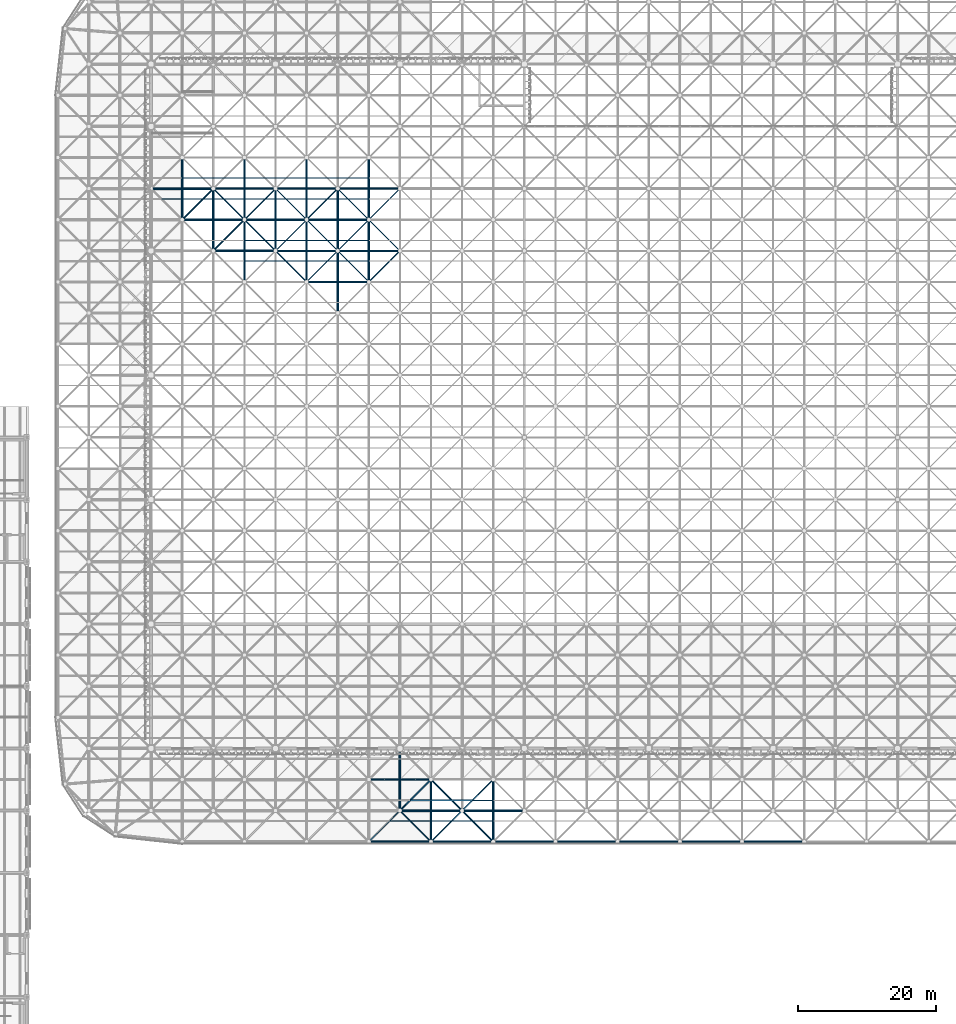
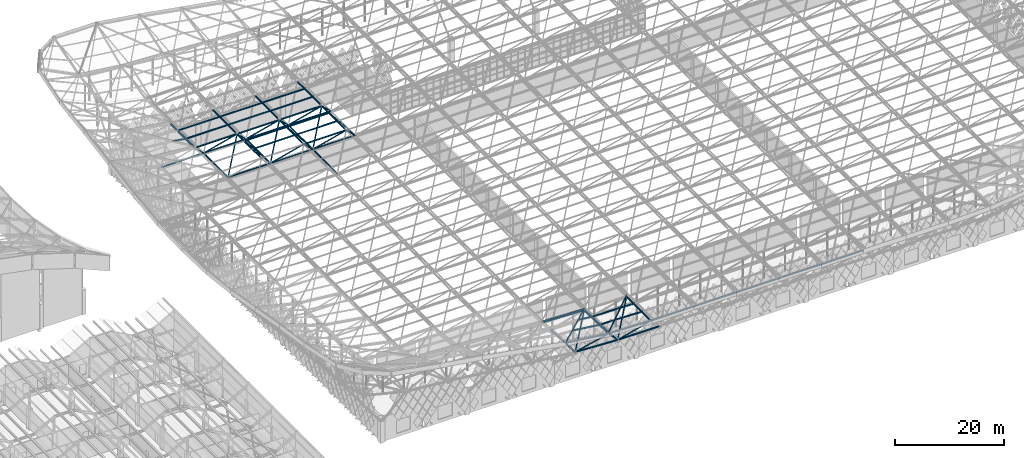
# One storey, part 83 of 437: 80 members.
"""IFC4 building model written with IfcOpenShell, lengths in metres."""

from ifc_helpers import new_model, si_unit, direction, frame, origin, origin_2d, place, context, subcontext, project, spatial, polyline, hollow_circle, outline, extrude, material, material_profile, profile_set, type_object, element, save


model = new_model("IFC4")

# Units and contexts
model_context = context("Model", 3, precision=1e-05, world=origin(), true_north=direction((0.0, 1.0)))
body_context = subcontext(model_context, "Body", "Model", "MODEL_VIEW")
ifc_project = project(units=[si_unit("LENGTHUNIT", "METRE"), si_unit("AREAUNIT", "SQUARE_METRE"), si_unit("VOLUMEUNIT", "CUBIC_METRE"), si_unit("PLANEANGLEUNIT", "RADIAN"), si_unit("MASSUNIT", "GRAM", prefix="KILO")], contexts=[model_context])

# Site, building, storey
site_placement = place(None, origin())
site = spatial("IfcSite", under=ifc_project, at=site_placement, CompositionType="ELEMENT")
building_placement = place(site_placement, origin())
building = spatial("IfcBuilding", under=site, at=building_placement, Name="Opaline Strait Convention Centre", CompositionType="ELEMENT")
storey_placement = place(building_placement, frame((0.0, 0.0, 11.5)))
storey = spatial("IfcBuildingStorey", under=building, at=storey_placement, Name="L02", CompositionType="ELEMENT", Elevation=11.5)

# Members
ifc_material = material(Name="Steel Q355B", Category="steel")
ifc_material_profile_1 = material_profile(ifc_material, outline(polyline([(-0.03759765625, -0.125), (0.03759765625, -0.125), (0.03759765625, -0.10498046875), (0.034912109375, -0.10498046875), (0.034912109375, -0.12255859375), (-0.034912109375, -0.12255859375), (-0.034912109375, 0.12255859375), (0.034912109375, 0.12255859375), (0.034912109375, 0.10498046875), (0.03759765625, 0.10498046875), (0.03759765625, 0.125), (-0.03759765625, 0.125), (-0.03759765625, -0.125)])), Name="C 250x75x20x2.5")
ifc_profile_set_1 = profile_set([ifc_material_profile_1], Name="Steel Q355B")
member_type_1 = type_object("IfcMemberType", Name="Roof purlin C 250x75x20x2.5", PredefinedType="PURLIN", material=ifc_profile_set_1)
member_1_placement = place(storey_placement, frame((130.5, 40.5, 19.59423828125), z_axis=(0.703588662414, 0.703588662414, -0.099629253955), x_axis=(-0.709635656361, 0.703016428471, -0.046745443856)))
element("IfcMember", 1, at=member_1_placement, inside=storey, type_object=member_type_1, Name="EXB-RF-F-5-0", PredefinedType="PURLIN", context=body_context, shape_type="SweptSolid", body=[
    extrude(outline(polyline([(-0.03759765625, -0.125), (0.03759765625, -0.125), (0.03759765625, -0.10498046875), (0.034912109375, -0.10498046875), (0.034912109375, -0.12255859375), (-0.034912109375, -0.12255859375), (-0.034912109375, 0.12255859375), (0.034912109375, 0.12255859375), (0.034912109375, 0.10498046875), (0.03759765625, 0.10498046875), (0.03759765625, 0.125), (-0.03759765625, 0.125), (-0.03759765625, -0.125)])), origin(), (0.0, 0.0, 1.0), 12.79150390625),
])
member_2_placement = place(storey_placement, frame((139.445556640625, 49.550048828125, 18.328857421875), z_axis=(0.0, -0.999783359176, 0.020814291107), x_axis=(0.992786458004, -0.002495550072, -0.119870017244)))
element("IfcMember", 2, at=member_2_placement, inside=storey, type_object=member_type_1, Name="EXB-RF-E-5-0a", PredefinedType="PURLIN", context=body_context, shape_type="SweptSolid", body=[
    extrude(outline(polyline([(-0.03759765625, -0.125), (0.03759765625, -0.125), (0.03759765625, -0.10498046875), (0.034912109375, -0.10498046875), (0.034912109375, -0.12255859375), (-0.034912109375, -0.12255859375), (-0.034912109375, 0.12255859375), (0.034912109375, 0.12255859375), (0.034912109375, 0.10498046875), (0.03759765625, 0.10498046875), (0.03759765625, 0.125), (-0.03759765625, 0.125), (-0.03759765625, -0.125)])), origin(), (0.0, 0.0, 1.0), 9.10205078125),
])
member_3_placement = place(storey_placement, frame((133.550048828125, 43.5, 19.1669921875), z_axis=(0.992782800113, 0.0, -0.119926276516), x_axis=(-0.002494386688, 0.999783670452, -0.020649221107)))
element("IfcMember", 3, at=member_3_placement, inside=storey, type_object=member_type_1, Name="EXB-RF-P-5-0-0a", PredefinedType="PURLIN", context=body_context, shape_type="SweptSolid", body=[
    extrude(outline(polyline([(-0.03759765625, -0.125), (0.03759765625, -0.125), (0.03759765625, -0.10498046875), (0.034912109375, -0.10498046875), (0.034912109375, -0.12255859375), (-0.034912109375, -0.12255859375), (-0.034912109375, 0.12255859375), (0.034912109375, 0.12255859375), (0.034912109375, 0.10498046875), (0.03759765625, 0.10498046875), (0.03759765625, 0.125), (-0.03759765625, 0.125), (-0.03759765625, -0.125)])), origin(), (0.0, 0.0, 1.0), 5.90380859375),
])
member_4_placement = place(storey_placement, frame((136.550048828125, 46.5, 18.7421875), z_axis=(0.992779097377, 0.0, -0.119956924813), x_axis=(-0.002495024152, 0.999783670452, -0.020649144093)))
element("IfcMember", 4, at=member_4_placement, inside=storey, type_object=member_type_1, Name="EXB-RF-P-5-0-1a", PredefinedType="PURLIN", context=body_context, shape_type="SweptSolid", body=[
    extrude(outline(polyline([(-0.03759765625, -0.125), (0.03759765625, -0.125), (0.03759765625, -0.10498046875), (0.034912109375, -0.10498046875), (0.034912109375, -0.12255859375), (-0.034912109375, -0.12255859375), (-0.034912109375, 0.12255859375), (0.034912109375, 0.12255859375), (0.034912109375, 0.10498046875), (0.03759765625, 0.10498046875), (0.03759765625, 0.125), (-0.03759765625, 0.125), (-0.03759765625, -0.125)])), origin(), (0.0, 0.0, 1.0), 2.8818359375),
])
member_5_placement = place(storey_placement, frame((139.550048828125, 49.447509765625, 18.326416015625), z_axis=(-0.999302401392, 0.0, 0.037345824037), x_axis=(0.003868565413, -0.994620331005, 0.103515367712)))
element("IfcMember", 5, at=member_5_placement, inside=storey, type_object=member_type_1, Name="EXB-RF-E-5-0b", PredefinedType="PURLIN", context=body_context, shape_type="SweptSolid", body=[
    extrude(outline(polyline([(-0.03759765625, -0.125), (0.03759765625, -0.125), (0.03759765625, -0.10498046875), (0.034912109375, -0.10498046875), (0.034912109375, -0.12255859375), (-0.034912109375, -0.12255859375), (-0.034912109375, 0.12255859375), (0.034912109375, 0.12255859375), (0.034912109375, 0.10498046875), (0.03759765625, 0.10498046875), (0.03759765625, 0.125), (-0.03759765625, 0.125), (-0.03759765625, -0.125)])), origin(), (0.0, 0.0, 1.0), 9.1064453125),
])
member_6_placement = place(storey_placement, frame((139.5, 40.5, 18.5087890625), z_axis=(0.706967474347, 0.706967474347, -0.01984894032), x_axis=(-0.707208676567, 0.706940201705, -0.009562374229)))
element("IfcMember", 6, at=member_6_placement, inside=storey, type_object=member_type_1, Name="EXB-RF-F-6-0", PredefinedType="PURLIN", context=body_context, shape_type="SweptSolid", body=[
    extrude(outline(polyline([(-0.03759765625, -0.125), (0.03759765625, -0.125), (0.03759765625, -0.10498046875), (0.034912109375, -0.10498046875), (0.034912109375, -0.12255859375), (-0.034912109375, -0.12255859375), (-0.034912109375, 0.12255859375), (0.034912109375, 0.12255859375), (0.034912109375, 0.10498046875), (0.03759765625, 0.10498046875), (0.03759765625, 0.125), (-0.03759765625, 0.125), (-0.03759765625, -0.125)])), origin(), (0.0, 0.0, 1.0), 12.73046875),
])
member_7_placement = place(storey_placement, frame((142.550048828125, 43.5, 18.424072265625), z_axis=(0.999606378304, 0.0, -0.028055096744), x_axis=(0.0, 1.0, 0.0)))
element("IfcMember", 7, at=member_7_placement, inside=storey, type_object=member_type_1, Name="EXB-RF-P-6-0-0a", PredefinedType="PURLIN", context=body_context, shape_type="SweptSolid", body=[
    extrude(outline(polyline([(-0.03759765625, -0.125), (0.03759765625, -0.125), (0.03759765625, -0.10498046875), (0.034912109375, -0.10498046875), (0.034912109375, -0.12255859375), (-0.034912109375, -0.12255859375), (-0.034912109375, 0.12255859375), (0.034912109375, 0.12255859375), (0.034912109375, 0.10498046875), (0.03759765625, 0.10498046875), (0.03759765625, 0.125), (-0.03759765625, 0.125), (-0.03759765625, -0.125)])), origin(), (0.0, 0.0, 1.0), 5.952392578125),
])
member_8_placement = place(storey_placement, frame((145.550048828125, 46.5, 18.33984375), z_axis=(0.999606664128, 0.0, -0.028044910961), x_axis=(0.0, 1.0, 0.0)))
element("IfcMember", 8, at=member_8_placement, inside=storey, type_object=member_type_1, Name="EXB-RF-P-6-0-1a", PredefinedType="PURLIN", context=body_context, shape_type="SweptSolid", body=[
    extrude(outline(polyline([(-0.03759765625, -0.125), (0.03759765625, -0.125), (0.03759765625, -0.10498046875), (0.034912109375, -0.10498046875), (0.034912109375, -0.12255859375), (-0.034912109375, -0.12255859375), (-0.034912109375, 0.12255859375), (0.034912109375, 0.12255859375), (0.034912109375, 0.10498046875), (0.03759765625, 0.10498046875), (0.03759765625, 0.125), (-0.03759765625, 0.125), (-0.03759765625, -0.125)])), origin(), (0.0, 0.0, 1.0), 2.951171875),
])
member_9_placement = place(storey_placement, frame((139.5, 43.5, 18.447265625), z_axis=(0.999973480305, 0.0, -0.007282766388), x_axis=(-0.000151476691, 0.999783670452, -0.020798782467)))
element("IfcMember", 9, at=member_9_placement, inside=storey, type_object=member_type_1, Name="EXB-RF-P-6-0-0b", PredefinedType="PURLIN", context=body_context, shape_type="SweptSolid", body=[
    extrude(outline(polyline([(-0.03759765625, -0.125), (0.03759765625, -0.125), (0.03759765625, -0.10498046875), (0.034912109375, -0.10498046875), (0.034912109375, -0.12255859375), (-0.034912109375, -0.12255859375), (-0.034912109375, 0.12255859375), (0.034912109375, 0.12255859375), (0.034912109375, 0.10498046875), (0.03759765625, 0.10498046875), (0.03759765625, 0.125), (-0.03759765625, 0.125), (-0.03759765625, -0.125)])), origin(), (0.0, 0.0, 1.0), 2.949951171875),
])
member_10_placement = place(storey_placement, frame((139.5, 46.5, 18.385009765625), z_axis=(0.999973328593, 0.0, -0.007303567867), x_axis=(-0.000151909348, 0.999783670452, -0.020798779311)))
element("IfcMember", 10, at=member_10_placement, inside=storey, type_object=member_type_1, Name="EXB-RF-P-6-0-1b", PredefinedType="PURLIN", context=body_context, shape_type="SweptSolid", body=[
    extrude(outline(polyline([(-0.03759765625, -0.125), (0.03759765625, -0.125), (0.03759765625, -0.10498046875), (0.034912109375, -0.10498046875), (0.034912109375, -0.12255859375), (-0.034912109375, -0.12255859375), (-0.034912109375, 0.12255859375), (0.034912109375, 0.12255859375), (0.034912109375, 0.10498046875), (0.03759765625, 0.10498046875), (0.03759765625, 0.125), (-0.03759765625, 0.125), (-0.03759765625, -0.125)])), origin(), (0.0, 0.0, 1.0), 5.9501953125),
])
for number, where, z_axis, x_axis, name in (
    (11, (112.5, 124.5, 18.257080078125), (1.0, 0.0, 0.0), (0.0, 1.0, 0.0), "EXB-RF-P-3-9-0"),
    (12, (112.5, 127.5, 18.257080078125), (1.0, 0.0, 0.0), (0.0, 1.0, 0.0), "EXB-RF-P-3-9-1"),
    (13, (121.5, 124.5, 18.257080078125), (1.0, 0.0, 0.0), (0.0, 1.0, 0.0), "EXB-RF-P-4-9-0"),
    (14, (121.5, 127.5, 18.257080078125), (1.0, 0.0, 0.0), (0.0, 1.0, 0.0), "EXB-RF-P-4-9-1"),
):
    element("IfcMember", number, at=place(storey_placement, frame(where, z_axis=z_axis, x_axis=x_axis)), inside=storey, type_object=member_type_1, Name=name, PredefinedType="PURLIN", context=body_context, shape_type="SweptSolid", body=[
        extrude(outline(polyline([(-0.03759765625, -0.125), (0.03759765625, -0.125), (0.03759765625, -0.10498046875), (0.034912109375, -0.10498046875), (0.034912109375, -0.12255859375), (-0.034912109375, -0.12255859375), (-0.034912109375, 0.12255859375), (0.034912109375, 0.12255859375), (0.034912109375, 0.10498046875), (0.03759765625, 0.10498046875), (0.03759765625, 0.125), (-0.03759765625, 0.125), (-0.03759765625, -0.125)])), origin(), (0.0, 0.0, 1.0), 9.0),
    ])
member_11_placement = place(storey_placement, frame((103.441650390625, 130.449951171875, 18.267578125), z_axis=(0.0, 1.0, 0.0), x_axis=(-0.988092083083, 0.0, 0.153863690806)))
element("IfcMember", 15, at=member_11_placement, inside=storey, type_object=member_type_1, Name="EXB-RF-E-1-10a", PredefinedType="PURLIN", context=body_context, shape_type="SweptSolid", body=[
    extrude(outline(polyline([(-0.03759765625, -0.125), (0.03759765625, -0.125), (0.03759765625, -0.10498046875), (0.034912109375, -0.10498046875), (0.034912109375, -0.12255859375), (-0.034912109375, -0.12255859375), (-0.034912109375, 0.12255859375), (0.034912109375, 0.12255859375), (0.034912109375, 0.10498046875), (0.03759765625, 0.10498046875), (0.03759765625, 0.125), (-0.03759765625, 0.125), (-0.03759765625, -0.125)])), origin(), (0.0, 0.0, 1.0), 9.10009765625),
])
member_12_placement = place(storey_placement, frame((100.550048828125, 133.5, 18.7177734375), z_axis=(0.988094799995, 0.0, -0.153846242146), x_axis=(0.0, 1.0, 0.0)))
element("IfcMember", 16, at=member_12_placement, inside=storey, type_object=member_type_1, Name="EXB-RF-P-1-10-0a", PredefinedType="PURLIN", context=body_context, shape_type="SweptSolid", body=[
    extrude(outline(polyline([(-0.03759765625, -0.125), (0.03759765625, -0.125), (0.03759765625, -0.10498046875), (0.034912109375, -0.10498046875), (0.034912109375, -0.12255859375), (-0.034912109375, -0.12255859375), (-0.034912109375, 0.12255859375), (0.034912109375, 0.12255859375), (0.034912109375, 0.10498046875), (0.03759765625, 0.10498046875), (0.03759765625, 0.125), (-0.03759765625, 0.125), (-0.03759765625, -0.125)])), origin(), (0.0, 0.0, 1.0), 2.891357421875),
])
for number, where, z_axis, x_axis, name in (
    (17, (103.5, 133.5, 18.257080078125), (1.0, 0.0, 0.0), (0.0, 1.0, 0.0), "EXB-RF-P-2-10-0"),
    (18, (103.5, 136.5, 18.257080078125), (1.0, 0.0, 0.0), (0.0, 1.0, 0.0), "EXB-RF-P-2-10-1"),
    (19, (112.5, 133.5, 18.257080078125), (1.0, 0.0, 0.0), (0.0, 1.0, 0.0), "EXB-RF-P-3-10-0"),
    (20, (112.5, 136.5, 18.257080078125), (1.0, 0.0, 0.0), (0.0, 1.0, 0.0), "EXB-RF-P-3-10-1"),
    (21, (121.5, 133.5, 18.257080078125), (1.0, 0.0, 0.0), (0.0, 1.0, 0.0), "EXB-RF-P-4-10-0"),
    (22, (121.5, 136.5, 18.257080078125), (1.0, 0.0, 0.0), (0.0, 1.0, 0.0), "EXB-RF-P-4-10-1"),
):
    element("IfcMember", number, at=place(storey_placement, frame(where, z_axis=z_axis, x_axis=x_axis)), inside=storey, type_object=member_type_1, Name=name, PredefinedType="PURLIN", context=body_context, shape_type="SweptSolid", body=[
        extrude(outline(polyline([(-0.03759765625, -0.125), (0.03759765625, -0.125), (0.03759765625, -0.10498046875), (0.034912109375, -0.10498046875), (0.034912109375, -0.12255859375), (-0.034912109375, -0.12255859375), (-0.034912109375, 0.12255859375), (0.034912109375, 0.12255859375), (0.034912109375, 0.10498046875), (0.03759765625, 0.10498046875), (0.03759765625, 0.125), (-0.03759765625, 0.125), (-0.03759765625, -0.125)])), origin(), (0.0, 0.0, 1.0), 9.0),
    ])
ifc_material_profile_2 = material_profile(ifc_material, hollow_circle(Radius=0.1494140625, WallThickness=0.010009765625, at=origin_2d()), Name="CHS 299x10")
ifc_profile_set_2 = profile_set([ifc_material_profile_2], Name="Steel Q355B")
member_type_2 = type_object("IfcMemberType", Name="Space frame bottom chord CHS 299x10", PredefinedType="CHORD", material=ifc_profile_set_2)
for number, where, z_axis, x_axis, name in (
    (23, (116.949951171875, 126.0, 12.5), (1.0, 0.0, 0.0), (0.0, 1.0, 0.0), "EXB-RF-BX-3-9"),
    (24, (125.949951171875, 126.0, 12.5), (1.0, 0.0, 0.0), (0.0, 1.0, 0.0), "EXB-RF-BX-4-9"),
    (25, (126.0, 116.949951171875, 12.5), (0.0, 1.0, 0.0), (-1.0, 0.0, 0.0), "EXB-RF-BY-4-8"),
    (26, (126.0, 125.949951171875, 12.5), (0.0, 1.0, 0.0), (-1.0, 0.0, 0.0), "EXB-RF-BY-4-9"),
):
    element("IfcMember", number, at=place(storey_placement, frame(where, z_axis=z_axis, x_axis=x_axis)), inside=storey, type_object=member_type_2, Name=name, PredefinedType="CHORD", context=body_context, shape_type="SweptSolid", body=[
        extrude(hollow_circle(Radius=0.1494140625, WallThickness=0.010009765625, at=origin_2d()), origin(), (0.0, 0.0, 1.0), 9.10009765625),
    ])
ifc_material_profile_3 = material_profile(ifc_material, hollow_circle(Radius=0.16259765625, WallThickness=0.013916015625, at=origin_2d()), Name="CHS 325x14")
ifc_profile_set_3 = profile_set([ifc_material_profile_3], Name="Steel Q355B")
member_type_3 = type_object("IfcMemberType", Name="Space frame bottom chord CHS 325x14", PredefinedType="CHORD", material=ifc_profile_set_3)
for number, where, z_axis, x_axis, name in (
    (27, (107.949951171875, 135.0, 12.5), (1.0, 0.0, 0.0), (0.0, 1.0, 0.0), "EXB-RF-BX-2-10"),
    (28, (116.949951171875, 135.0, 12.5), (1.0, 0.0, 0.0), (0.0, 1.0, 0.0), "EXB-RF-BX-3-10"),
    (29, (125.949951171875, 135.0, 12.5), (1.0, 0.0, 0.0), (0.0, 1.0, 0.0), "EXB-RF-BX-4-10"),
    (30, (117.0, 125.949951171875, 12.5), (0.0, 1.0, 0.0), (-1.0, 0.0, 0.0), "EXB-RF-BY-3-9"),
):
    element("IfcMember", number, at=place(storey_placement, frame(where, z_axis=z_axis, x_axis=x_axis)), inside=storey, type_object=member_type_3, Name=name, PredefinedType="CHORD", context=body_context, shape_type="SweptSolid", body=[
        extrude(hollow_circle(Radius=0.16259765625, WallThickness=0.013916015625, at=origin_2d()), origin(), (0.0, 0.0, 1.0), 9.10009765625),
    ])
ifc_material_profile_4 = material_profile(ifc_material, hollow_circle(Radius=0.175537109375, WallThickness=0.01611328125, at=origin_2d()), Name="CHS 351x16")
ifc_profile_set_4 = profile_set([ifc_material_profile_4], Name="Steel Q355B")
member_type_4 = type_object("IfcMemberType", Name="Space frame bottom chord CHS 351x16", PredefinedType="CHORD", material=ifc_profile_set_4)
member_13_placement = place(storey_placement, frame((134.949951171875, 45.0, 12.9619140625), z_axis=(0.998749263269, 0.0, -0.049999091197), x_axis=(0.0, 1.0, 0.0)))
element("IfcMember", 31, at=member_13_placement, inside=storey, type_object=member_type_4, Name="EXB-RF-BX-5-0", PredefinedType="CHORD", context=body_context, shape_type="SweptSolid", body=[
    extrude(hollow_circle(Radius=0.175537109375, WallThickness=0.01611328125, at=origin_2d()), origin(), (0.0, 0.0, 1.0), 9.111572265625),
])
for number, where, z_axis, x_axis, name in (
    (32, (143.949951171875, 45.0, 12.509033203125), (0.999999507324, 0.0, -0.000992648542), (0.0, 1.0, 0.0), "EXB-RF-BX-6-0"),
    (33, (107.949951171875, 126.0, 12.5), (1.0, 0.0, 0.0), (0.0, 1.0, 0.0), "EXB-RF-BX-2-9"),
    (34, (98.949951171875, 135.0, 12.5), (1.0, 0.0, 0.0), (0.0, 1.0, 0.0), "EXB-RF-BX-1-10"),
    (35, (108.0, 125.949951171875, 12.5), (0.0, 1.0, 0.0), (-1.0, 0.0, 0.0), "EXB-RF-BY-2-9"),
):
    element("IfcMember", number, at=place(storey_placement, frame(where, z_axis=z_axis, x_axis=x_axis)), inside=storey, type_object=member_type_4, Name=name, PredefinedType="CHORD", context=body_context, shape_type="SweptSolid", body=[
        extrude(hollow_circle(Radius=0.175537109375, WallThickness=0.01611328125, at=origin_2d()), origin(), (0.0, 0.0, 1.0), 9.10009765625),
    ])
member_14_placement = place(storey_placement, frame((135.0, 44.949951171875, 12.9619140625), z_axis=(0.0, 0.998700632728, -0.050961222392), x_axis=(-1.0, 0.0, 0.0)))
element("IfcMember", 36, at=member_14_placement, inside=storey, type_object=member_type_4, Name="EXB-RF-BY-5-0", PredefinedType="CHORD", context=body_context, shape_type="SweptSolid", body=[
    extrude(hollow_circle(Radius=0.175537109375, WallThickness=0.01611328125, at=origin_2d()), origin(), (0.0, 0.0, 1.0), 9.11181640625),
])
ifc_material_profile_5 = material_profile(ifc_material, hollow_circle(Radius=0.16259765625, WallThickness=0.010009765625, at=origin_2d()), Name="CHS 325x10")
ifc_profile_set_5 = profile_set([ifc_material_profile_5], Name="Steel Q355B")
member_type_5 = type_object("IfcMemberType", Name="Space frame top chord CHS 325x10", PredefinedType="CHORD", material=ifc_profile_set_5)
for number, where, z_axis, x_axis, name in (
    (37, (121.449951171875, 121.5, 17.971435546875), (1.0, 0.0, 0.0), (0.0, 1.0, 0.0), "EXB-RF-TX-4-9"),
    (38, (121.449951171875, 130.5, 17.971435546875), (1.0, 0.0, 0.0), (0.0, 1.0, 0.0), "EXB-RF-TX-4-10"),
    (39, (121.5, 121.449951171875, 17.971435546875), (0.0, 1.0, 0.0), (-1.0, 0.0, 0.0), "EXB-RF-TY-4-9"),
    (40, (130.5, 121.449951171875, 17.971435546875), (0.0, 1.0, 0.0), (-1.0, 0.0, 0.0), "EXB-RF-TY-5-9"),
):
    element("IfcMember", number, at=place(storey_placement, frame(where, z_axis=z_axis, x_axis=x_axis)), inside=storey, type_object=member_type_5, Name=name, PredefinedType="CHORD", context=body_context, shape_type="SweptSolid", body=[
        extrude(hollow_circle(Radius=0.16259765625, WallThickness=0.010009765625, at=origin_2d()), origin(), (0.0, 0.0, 1.0), 9.10009765625),
    ])
ifc_material_profile_6 = material_profile(ifc_material, hollow_circle(Radius=0.16259765625, WallThickness=0.013916015625, at=origin_2d()), Name="CHS 325x14")
ifc_profile_set_6 = profile_set([ifc_material_profile_6], Name="Steel Q355B")
member_type_6 = type_object("IfcMemberType", Name="Space frame top chord CHS 325x14", PredefinedType="CHORD", material=ifc_profile_set_6)
member_15_placement = place(storey_placement, frame((139.449951171875, 40.5, 18.2255859375), z_axis=(0.999606481677, 0.0, -0.028051413313), x_axis=(0.0, 1.0, 0.0)))
element("IfcMember", 41, at=member_15_placement, inside=storey, type_object=member_type_6, Name="EXB-RF-TX-6-0", PredefinedType="CHORD", context=body_context, shape_type="SweptSolid", body=[
    extrude(hollow_circle(Radius=0.16259765625, WallThickness=0.013916015625, at=origin_2d()), origin(), (0.0, 0.0, 1.0), 9.103759765625),
])
for number, where, z_axis, x_axis, name in (
    (42, (157.449951171875, 40.5, 17.971435546875), (1.0, 0.0, 0.0), (0.0, 1.0, 0.0), "EXB-RF-TX-8-0"),
    (43, (175.449951171875, 40.5, 17.971435546875), (1.0, 0.0, 0.0), (0.0, 1.0, 0.0), "EXB-RF-TX-10-0"),
    (44, (112.449951171875, 130.5, 17.971435546875), (1.0, 0.0, 0.0), (0.0, 1.0, 0.0), "EXB-RF-TX-3-10"),
    (45, (112.5, 130.449951171875, 17.971435546875), (0.0, 1.0, 0.0), (-1.0, 0.0, 0.0), "EXB-RF-TY-3-10"),
    (46, (121.5, 130.449951171875, 17.971435546875), (0.0, 1.0, 0.0), (-1.0, 0.0, 0.0), "EXB-RF-TY-4-10"),
    (47, (130.5, 130.449951171875, 17.971435546875), (0.0, 1.0, 0.0), (-1.0, 0.0, 0.0), "EXB-RF-TY-5-10"),
):
    element("IfcMember", number, at=place(storey_placement, frame(where, z_axis=z_axis, x_axis=x_axis)), inside=storey, type_object=member_type_6, Name=name, PredefinedType="CHORD", context=body_context, shape_type="SweptSolid", body=[
        extrude(hollow_circle(Radius=0.16259765625, WallThickness=0.013916015625, at=origin_2d()), origin(), (0.0, 0.0, 1.0), 9.10009765625),
    ])
ifc_material_profile_7 = material_profile(ifc_material, hollow_circle(Radius=0.16259765625, WallThickness=0.02001953125, at=origin_2d()), Name="CHS 325x20")
ifc_profile_set_7 = profile_set([ifc_material_profile_7], Name="Steel Q355B")
member_type_7 = type_object("IfcMemberType", Name="Space frame top chord CHS 325x20", PredefinedType="CHORD", material=ifc_profile_set_7)
member_16_placement = place(storey_placement, frame((130.450439453125, 40.5, 19.3173828125), z_axis=(0.992783260631, 0.0, -0.119922464163), x_axis=(0.0, 1.0, 0.0)))
element("IfcMember", 48, at=member_16_placement, inside=storey, type_object=member_type_7, Name="EXB-RF-TX-5-0", PredefinedType="CHORD", context=body_context, shape_type="SweptSolid", body=[
    extrude(hollow_circle(Radius=0.16259765625, WallThickness=0.02001953125, at=origin_2d()), origin(), (0.0, 0.0, 1.0), 9.165283203125),
])
for number, where, z_axis, x_axis, name in (
    (49, (148.449951171875, 40.5, 17.971435546875), (1.0, 0.0, 0.0), (0.0, 1.0, 0.0), "EXB-RF-TX-7-0"),
    (50, (166.449951171875, 40.5, 17.971435546875), (1.0, 0.0, 0.0), (0.0, 1.0, 0.0), "EXB-RF-TX-9-0"),
    (51, (184.449951171875, 40.5, 17.971435546875), (1.0, 0.0, 0.0), (0.0, 1.0, 0.0), "EXB-RF-TX-11-0"),
):
    element("IfcMember", number, at=place(storey_placement, frame(where, z_axis=z_axis, x_axis=x_axis)), inside=storey, type_object=member_type_7, Name=name, PredefinedType="CHORD", context=body_context, shape_type="SweptSolid", body=[
        extrude(hollow_circle(Radius=0.16259765625, WallThickness=0.02001953125, at=origin_2d()), origin(), (0.0, 0.0, 1.0), 9.10009765625),
    ])
member_17_placement = place(storey_placement, frame((130.449951171875, 49.5, 18.375244140625), z_axis=(0.999302401392, 0.0, -0.037345824037), x_axis=(0.0, 1.0, 0.0)))
element("IfcMember", 52, at=member_17_placement, inside=storey, type_object=member_type_7, Name="EXB-RF-TX-5-1", PredefinedType="CHORD", context=body_context, shape_type="SweptSolid", body=[
    extrude(hollow_circle(Radius=0.16259765625, WallThickness=0.02001953125, at=origin_2d()), origin(), (0.0, 0.0, 1.0), 9.1064453125),
])
for number, where, z_axis, x_axis, name in (
    (53, (103.449951171875, 130.5, 17.971435546875), (1.0, 0.0, 0.0), (0.0, 1.0, 0.0), "EXB-RF-TX-2-10"),
    (54, (103.5, 130.449951171875, 17.971435546875), (0.0, 1.0, 0.0), (-1.0, 0.0, 0.0), "EXB-RF-TY-2-10"),
    (55, (112.5, 121.449951171875, 17.971435546875), (0.0, 1.0, 0.0), (-1.0, 0.0, 0.0), "EXB-RF-TY-3-9"),
):
    element("IfcMember", number, at=place(storey_placement, frame(where, z_axis=z_axis, x_axis=x_axis)), inside=storey, type_object=member_type_7, Name=name, PredefinedType="CHORD", context=body_context, shape_type="SweptSolid", body=[
        extrude(hollow_circle(Radius=0.16259765625, WallThickness=0.02001953125, at=origin_2d()), origin(), (0.0, 0.0, 1.0), 9.10009765625),
    ])
member_18_placement = place(storey_placement, frame((139.5, 40.449951171875, 18.225341796875), z_axis=(0.0, 0.999783359176, -0.020814291107), x_axis=(-1.0, 0.0, 0.0)))
element("IfcMember", 56, at=member_18_placement, inside=storey, type_object=member_type_7, Name="EXB-RF-TY-6-0", PredefinedType="CHORD", context=body_context, shape_type="SweptSolid", body=[
    extrude(hollow_circle(Radius=0.16259765625, WallThickness=0.02001953125, at=origin_2d()), origin(), (0.0, 0.0, 1.0), 9.10205078125),
])
member_19_placement = place(storey_placement, frame((148.5, 40.449951171875, 17.971435546875), z_axis=(0.0, 1.0, 0.0), x_axis=(-1.0, 0.0, 0.0)))
element("IfcMember", 57, at=member_19_placement, inside=storey, type_object=member_type_7, Name="EXB-RF-TY-7-0", PredefinedType="CHORD", context=body_context, shape_type="SweptSolid", body=[
    extrude(hollow_circle(Radius=0.16259765625, WallThickness=0.02001953125, at=origin_2d()), origin(), (0.0, 0.0, 1.0), 9.10009765625),
])
ifc_material_profile_8 = material_profile(ifc_material, hollow_circle(Radius=0.083984375, WallThickness=0.008056640625, at=origin_2d()), Name="CHS 168x8")
ifc_profile_set_8 = profile_set([ifc_material_profile_8], Name="Steel Q355B")
member_type_8 = type_object("IfcMemberType", Name="Space frame web CHS 168x8", PredefinedType="BRACE", material=ifc_profile_set_8)
for number, where, z_axis, x_axis, name in (
    (58, (121.52685546875, 121.47314453125, 18.004150390625), (-0.536178220346, 0.536178220346, -0.6519400525), (-0.707106781187, -0.707106781187, 0.0), "EXB-RF-W-3-9-10"),
    (59, (121.52685546875, 130.52685546875, 18.004150390625), (-0.536178220346, -0.536178220346, -0.6519400525), (0.707106781187, -0.707106781187, 0.0), "EXB-RF-W-3-9-11"),
    (60, (121.52685546875, 130.47314453125, 18.004150390625), (-0.536178220346, 0.536178220346, -0.6519400525), (-0.707106781187, -0.707106781187, 0.0), "EXB-RF-W-3-10-10"),
    (61, (121.47314453125, 121.47314453125, 18.004150390625), (0.536178220346, 0.536178220346, -0.6519400525), (-0.707106781187, 0.707106781187, 0.0), "EXB-RF-W-4-9-00"),
    (62, (121.47314453125, 130.52685546875, 18.004150390625), (0.536178220346, -0.536178220346, -0.6519400525), (0.707106781187, 0.707106781187, 0.0), "EXB-RF-W-4-9-01"),
    (63, (130.52685546875, 121.47314453125, 18.004150390625), (-0.536178220346, 0.536178220346, -0.6519400525), (-0.707106781187, -0.707106781187, 0.0), "EXB-RF-W-4-9-10"),
    (64, (130.52685546875, 130.52685546875, 18.004150390625), (-0.536178220346, -0.536178220346, -0.6519400525), (0.707106781187, -0.707106781187, 0.0), "EXB-RF-W-4-9-11"),
    (65, (121.47314453125, 130.47314453125, 18.004150390625), (0.536178220346, 0.536178220346, -0.6519400525), (-0.707106781187, 0.707106781187, 0.0), "EXB-RF-W-4-10-00"),
    (66, (130.52685546875, 130.47314453125, 18.004150390625), (-0.536178220346, 0.536178220346, -0.6519400525), (-0.707106781187, -0.707106781187, 0.0), "EXB-RF-W-4-10-10"),
    (67, (130.47314453125, 121.47314453125, 18.004150390625), (0.536178220346, 0.536178220346, -0.6519400525), (-0.707106781187, 0.707106781187, 0.0), "EXB-RF-W-5-9-00"),
    (68, (130.47314453125, 130.52685546875, 18.004150390625), (0.536178220346, -0.536178220346, -0.6519400525), (0.707106781187, 0.707106781187, 0.0), "EXB-RF-W-5-9-01"),
    (69, (130.47314453125, 130.47314453125, 18.004150390625), (0.536178220346, 0.536178220346, -0.6519400525), (-0.707106781187, 0.707106781187, 0.0), "EXB-RF-W-5-10-00"),
):
    element("IfcMember", number, at=place(storey_placement, frame(where, z_axis=z_axis, x_axis=x_axis)), inside=storey, type_object=member_type_8, Name=name, PredefinedType="BRACE", context=body_context, shape_type="SweptSolid", body=[
        extrude(hollow_circle(Radius=0.083984375, WallThickness=0.008056640625, at=origin_2d()), origin(), (0.0, 0.0, 1.0), 8.492919921875),
    ])
ifc_material_profile_9 = material_profile(ifc_material, hollow_circle(Radius=0.109619140625, WallThickness=0.010009765625, at=origin_2d()), Name="CHS 219x10")
ifc_profile_set_9 = profile_set([ifc_material_profile_9], Name="Steel Q355B")
member_type_9 = type_object("IfcMemberType", Name="Space frame web CHS 219x10", PredefinedType="BRACE", material=ifc_profile_set_9)
for number, where, z_axis, x_axis, name in (
    (70, (112.47314453125, 130.52685546875, 18.004150390625), (0.536178220346, -0.536178220346, -0.6519400525), (0.707106781187, 0.707106781187, 0.0), "EXB-RF-W-3-9-01"),
    (71, (112.47314453125, 130.47314453125, 18.004150390625), (0.536178220346, 0.536178220346, -0.6519400525), (-0.707106781187, 0.707106781187, 0.0), "EXB-RF-W-3-10-00"),
):
    element("IfcMember", number, at=place(storey_placement, frame(where, z_axis=z_axis, x_axis=x_axis)), inside=storey, type_object=member_type_9, Name=name, PredefinedType="BRACE", context=body_context, shape_type="SweptSolid", body=[
        extrude(hollow_circle(Radius=0.109619140625, WallThickness=0.010009765625, at=origin_2d()), origin(), (0.0, 0.0, 1.0), 8.492919921875),
    ])
ifc_material_profile_10 = material_profile(ifc_material, hollow_circle(Radius=0.12255859375, WallThickness=0.011962890625, at=origin_2d()), Name="CHS 245x12")
ifc_profile_set_10 = profile_set([ifc_material_profile_10], Name="Steel Q355B")
member_type_10 = type_object("IfcMemberType", Name="Space frame web CHS 245x12", PredefinedType="BRACE", material=ifc_profile_set_10)
for number, where, z_axis, x_axis, name in (
    (72, (112.52685546875, 130.52685546875, 18.004150390625), (-0.536178220346, -0.536178220346, -0.6519400525), (0.707106781187, -0.707106781187, 0.0), "EXB-RF-W-2-9-11"),
    (73, (103.47314453125, 130.47314453125, 18.004150390625), (0.536178220346, 0.536178220346, -0.6519400525), (-0.707106781187, 0.707106781187, 0.0), "EXB-RF-W-2-10-00"),
    (74, (112.52685546875, 130.47314453125, 18.004150390625), (-0.536178220346, 0.536178220346, -0.6519400525), (-0.707106781187, -0.707106781187, 0.0), "EXB-RF-W-2-10-10"),
):
    element("IfcMember", number, at=place(storey_placement, frame(where, z_axis=z_axis, x_axis=x_axis)), inside=storey, type_object=member_type_10, Name=name, PredefinedType="BRACE", context=body_context, shape_type="SweptSolid", body=[
        extrude(hollow_circle(Radius=0.12255859375, WallThickness=0.011962890625, at=origin_2d()), origin(), (0.0, 0.0, 1.0), 8.492919921875),
    ])
member_20_placement = place(storey_placement, frame((139.52734375, 40.47265625, 18.256103515625), z_axis=(-0.544839052131, 0.544839052131, -0.637417300162), x_axis=(-0.707106781187, -0.707106781187, 0.0)))
element("IfcMember", 75, at=member_20_placement, inside=storey, type_object=member_type_10, Name="EXB-RF-W-5-0-10", PredefinedType="BRACE", context=body_context, shape_type="SweptSolid", body=[
    extrude(hollow_circle(Radius=0.12255859375, WallThickness=0.011962890625, at=origin_2d()), origin(), (0.0, 0.0, 1.0), 8.359619140625),
])
member_21_placement = place(storey_placement, frame((139.527587890625, 49.527587890625, 18.068115234375), z_axis=(-0.552730589909, -0.552730589909, -0.623680839819), x_axis=(0.707106781187, -0.707106781187, 0.0)))
element("IfcMember", 76, at=member_21_placement, inside=storey, type_object=member_type_10, Name="EXB-RF-W-5-0-11", PredefinedType="BRACE", context=body_context, shape_type="SweptSolid", body=[
    extrude(hollow_circle(Radius=0.12255859375, WallThickness=0.011962890625, at=origin_2d()), origin(), (0.0, 0.0, 1.0), 8.2412109375),
])
member_22_placement = place(storey_placement, frame((139.4736328125, 40.4736328125, 18.257568359375), z_axis=(0.526104118991, 0.526104118991, -0.668153359613), x_axis=(-0.707106781187, 0.707106781187, 0.0)))
element("IfcMember", 77, at=member_22_placement, inside=storey, type_object=member_type_10, Name="EXB-RF-W-6-0-00", PredefinedType="BRACE", context=body_context, shape_type="SweptSolid", body=[
    extrude(hollow_circle(Radius=0.12255859375, WallThickness=0.011962890625, at=origin_2d()), origin(), (0.0, 0.0, 1.0), 8.653564453125),
])
member_23_placement = place(storey_placement, frame((139.473388671875, 49.526611328125, 18.06982421875), z_axis=(0.533815659116, -0.533815659116, -0.655806133065), x_axis=(0.707106781187, 0.707106781187, 0.0)))
element("IfcMember", 78, at=member_23_placement, inside=storey, type_object=member_type_10, Name="EXB-RF-W-6-0-01", PredefinedType="BRACE", context=body_context, shape_type="SweptSolid", body=[
    extrude(hollow_circle(Radius=0.12255859375, WallThickness=0.011962890625, at=origin_2d()), origin(), (0.0, 0.0, 1.0), 8.529541015625),
])
for number, where, z_axis, x_axis, name in (
    (79, (148.52685546875, 40.47314453125, 18.004150390625), (-0.536550097538, 0.536550097538, -0.651327863417), (-0.707106781187, -0.707106781187, 0.0), "EXB-RF-W-6-0-10"),
    (80, (148.52685546875, 49.52685546875, 18.004150390625), (-0.536550097538, -0.536550097538, -0.651327863417), (0.707106781187, -0.707106781187, 0.0), "EXB-RF-W-6-0-11"),
):
    element("IfcMember", number, at=place(storey_placement, frame(where, z_axis=z_axis, x_axis=x_axis)), inside=storey, type_object=member_type_10, Name=name, PredefinedType="BRACE", context=body_context, shape_type="SweptSolid", body=[
        extrude(hollow_circle(Radius=0.12255859375, WallThickness=0.011962890625, at=origin_2d()), origin(), (0.0, 0.0, 1.0), 8.487060546875),
    ])

save(model, "model.ifc")
